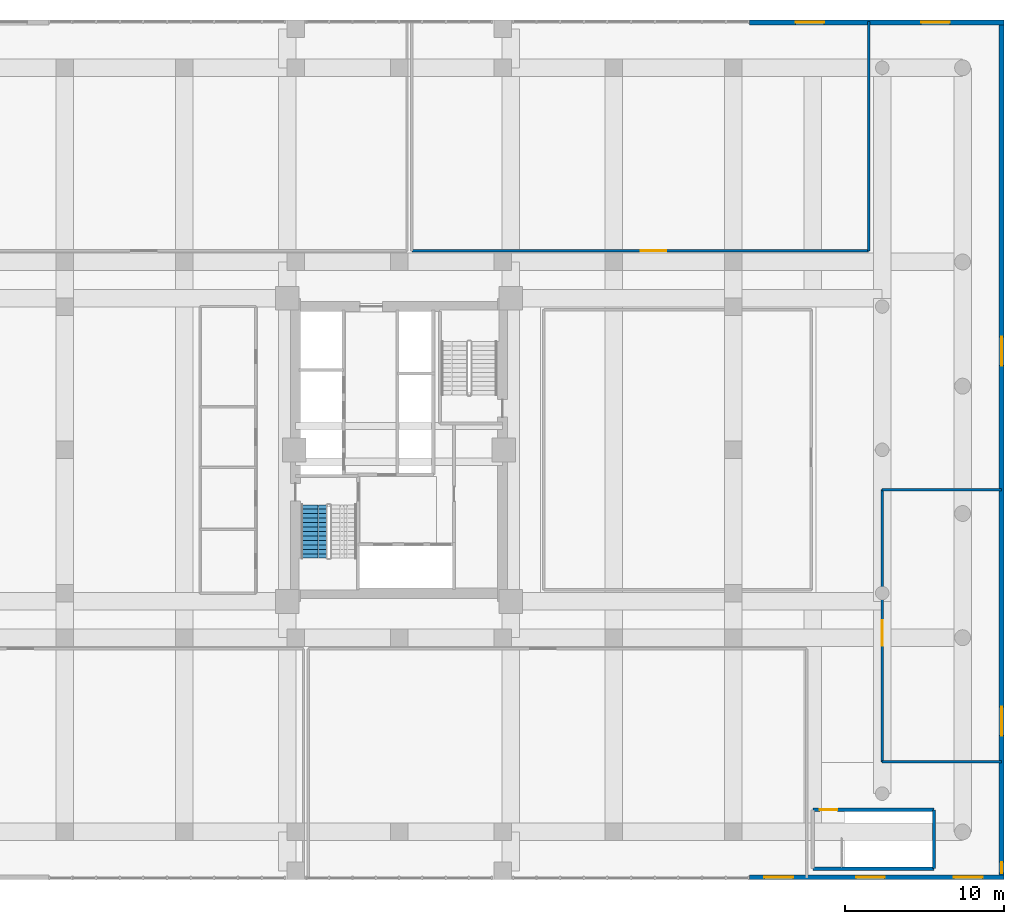
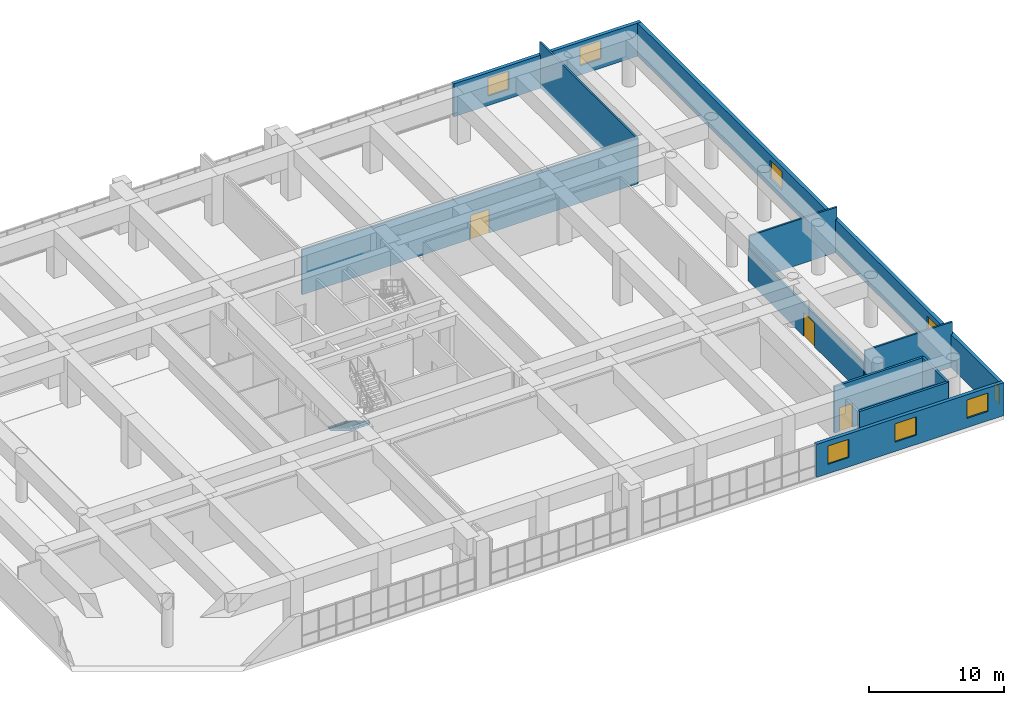
# One storey, part 21 of 28: 11 walls, 8 windows, 3 doors, 1 stair flight, 11 openings, 1 element without a shape of its own.
"""IFC4 building model written with IfcOpenShell, lengths in metres."""

import ifcopenshell
import ifcopenshell.guid

model = None  # the IFC model being written
_history = None  # IfcOwnerHistory: only IFC2X3 demands one
_inside = {}  # id of a spatial element -> (the spatial element, [elements in it])
_under = {}  # id of a project, library or spatial element -> (it, [spatial elements below it])
_declared = {}  # id of a project -> (the project, [libraries it declares])
_typed = {}  # id of a type object -> (the type object, [elements of that type])
_made_of = {}  # id of a material, layer set ... -> (it, [elements and type objects made of it])


def new_model(schema):
    """Start an empty IFC model of exactly this schema.

    Asked for "IFC4X3", IfcOpenShell would pick the latest addendum, in which some entities
    have other attributes; the version numbers below select the first issue.
    IFC2X3 requires an IfcOwnerHistory on every rooted entity: one is made here for all.
    """
    global model, _history
    if schema == "IFC4X3":
        model = ifcopenshell.file(schema_version=(4, 3, 0, 0))
    else:
        model = ifcopenshell.file(schema=schema)
    _inside.clear()
    _under.clear()
    _declared.clear()
    _typed.clear()
    _made_of.clear()
    _history = None
    if model.schema == "IFC2X3":
        org = make("IfcOrganization", Name="unknown")
        user = make(
            "IfcPersonAndOrganization",
            ThePerson=make("IfcPerson", FamilyName="unknown"),
            TheOrganization=org,
        )
        app = make(
            "IfcApplication",
            ApplicationDeveloper=org,
            Version="unknown",
            ApplicationFullName="unknown",
            ApplicationIdentifier="unknown",
        )
        _history = make(
            "IfcOwnerHistory",
            OwningUser=user,
            OwningApplication=app,
            ChangeAction="ADDED",
            CreationDate=0,
        )
    return model


def make(cls, **values):
    """One entity of the class cls with the attributes given. An attribute that is None is left unset."""
    return model.create_entity(
        cls, **{name: value for name, value in values.items() if value is not None}
    )


def rooted(cls, **values):
    """An entity with a GlobalId (a new one), such as an element, a storey or a relation."""
    return make(cls, GlobalId=ifcopenshell.guid.new(), OwnerHistory=_history, **values)


def si_unit(unit_type, name, prefix=None):
    """IfcSIUnit, for example si_unit("LENGTHUNIT", "METRE", prefix="MILLI")."""
    return make("IfcSIUnit", UnitType=unit_type, Prefix=prefix, Name=name)


def assignment(units):
    """IfcUnitAssignment: the units of a project."""
    return None if units is None else make("IfcUnitAssignment", Units=units)


def point(xyz):
    """IfcCartesianPoint."""
    return None if xyz is None else make("IfcCartesianPoint", Coordinates=xyz)


def direction(xyz):
    """IfcDirection."""
    return None if xyz is None else make("IfcDirection", DirectionRatios=xyz)


def frame(location, z_axis=None, x_axis=None):
    """IfcAxis2Placement3D, a coordinate frame: its origin and axes. An axis left out is left unset."""
    return make(
        "IfcAxis2Placement3D",
        Location=point(location),
        Axis=direction(z_axis),
        RefDirection=direction(x_axis),
    )


def frame_2d(location, x_axis=None):
    """IfcAxis2Placement2D, a coordinate frame in the plane: its origin and x axis."""
    return make(
        "IfcAxis2Placement2D", Location=point(location), RefDirection=direction(x_axis)
    )


def origin():
    """The frame at (0, 0, 0) with its axes left unset."""
    return frame((0.0, 0.0, 0.0))


def place(relative_to, where):
    """IfcLocalPlacement: puts the frame where relative to a parent placement (None: the world)."""
    return make(
        "IfcLocalPlacement", PlacementRelTo=relative_to, RelativePlacement=where
    )


def context(
    kind, dimensions, precision=None, world=None, true_north=None, identifier=None
):
    """IfcGeometricRepresentationContext, for example the 3D "Model" context."""
    return make(
        "IfcGeometricRepresentationContext",
        ContextIdentifier=identifier,
        ContextType=kind,
        CoordinateSpaceDimension=dimensions,
        Precision=precision,
        WorldCoordinateSystem=world,
        TrueNorth=true_north,
    )


def subcontext(parent, identifier, kind, view, scale=None):
    """IfcGeometricRepresentationSubContext, for example "Body" below "Model"."""
    return make(
        "IfcGeometricRepresentationSubContext",
        ContextIdentifier=identifier,
        ContextType=kind,
        ParentContext=parent,
        TargetScale=scale,
        TargetView=view,
    )


def project(units=None, contexts=None):
    """IfcProject with its units and contexts."""
    return rooted(
        "IfcProject",
        Name="project",
        RepresentationContexts=contexts,
        UnitsInContext=assignment(units),
    )


def spatial(cls, under=None, at=None, **own):
    """A site, building, storey or space (cls), placed at a placement, below another one or the project."""
    s = rooted(cls, ObjectPlacement=at, **own)
    if under is not None:
        _under.setdefault(under.id(), (under, []))[1].append(s)
    return s


def polyline(points):
    """IfcPolyline through the points."""
    return make("IfcPolyline", Points=[point(p) for p in points])


def profile(cls, at=None, kind="AREA", **sizes):
    """A parametric profile (cls). Its sizes go by their IFC names, for example OverallWidth=200.0."""
    return make(cls, ProfileType=kind, Position=at, **sizes)


def rectangle(**sizes):
    """IfcRectangleProfileDef."""
    return profile("IfcRectangleProfileDef", **sizes)


def outline(outer, holes=None, kind="AREA"):
    """IfcArbitraryClosedProfileDef: a profile drawn as a closed curve; with holes, ...WithVoids."""
    if holes is None:
        return make("IfcArbitraryClosedProfileDef", ProfileType=kind, OuterCurve=outer)
    return make(
        "IfcArbitraryProfileDefWithVoids",
        ProfileType=kind,
        OuterCurve=outer,
        InnerCurves=holes,
    )


def extrude(swept, where, along, depth):
    """IfcExtrudedAreaSolid: the profile swept, set in the frame where, extruded along a direction by depth."""
    return make(
        "IfcExtrudedAreaSolid",
        SweptArea=swept,
        Position=where,
        ExtrudedDirection=direction(along),
        Depth=depth,
    )


def shape(context_of_items, identifier, shape_type, items):
    """IfcShapeRepresentation: the items that make up one representation, for example the "Body"."""
    return make(
        "IfcShapeRepresentation",
        ContextOfItems=context_of_items,
        RepresentationIdentifier=identifier,
        RepresentationType=shape_type,
        Items=items,
    )


def source(mapping_origin, context_of_items, identifier, shape_type, items):
    """IfcRepresentationMap: a shape defined once, which mapped items show again and again."""
    return make(
        "IfcRepresentationMap",
        MappingOrigin=mapping_origin,
        MappedRepresentation=shape(context_of_items, identifier, shape_type, items),
    )


def transform(
    local_origin,
    x_axis=None,
    y_axis=None,
    z_axis=None,
    scale=None,
    scale2=None,
    scale3=None,
    uniform=True,
):
    """IfcCartesianTransformationOperator3D, or its non-uniform kind. x_axis, y_axis, z_axis: its Axis1, 2, 3."""
    if uniform:
        return make(
            "IfcCartesianTransformationOperator3D",
            Axis1=direction(x_axis),
            Axis2=direction(y_axis),
            LocalOrigin=point(local_origin),
            Scale=scale,
            Axis3=direction(z_axis),
        )
    return make(
        "IfcCartesianTransformationOperator3DnonUniform",
        Axis1=direction(x_axis),
        Axis2=direction(y_axis),
        LocalOrigin=point(local_origin),
        Scale=scale,
        Axis3=direction(z_axis),
        Scale2=scale2,
        Scale3=scale3,
    )


def mapped(mapping_source, mapping_target):
    """IfcMappedItem: shows the shape of a source again, moved by a transform."""
    return make(
        "IfcMappedItem", MappingSource=mapping_source, MappingTarget=mapping_target
    )


def material(Name=None, Category=None):
    """IfcMaterial."""
    return make("IfcMaterial", Name=Name, Category=Category)


def layer(
    of_material, thickness, ventilated=None, Name=None, Category=None, Priority=None
):
    """IfcMaterialLayer: one layer of a wall or slab, of a material (None: an air gap)."""
    return make(
        "IfcMaterialLayer",
        Material=of_material,
        LayerThickness=thickness,
        IsVentilated=ventilated,
        Name=Name,
        Category=Category,
        Priority=Priority,
    )


def layer_set(layers, Name=None):
    """IfcMaterialLayerSet."""
    return make("IfcMaterialLayerSet", MaterialLayers=layers, LayerSetName=Name)


def made_of(thing, what):
    """Note that an element or type object is made of a material, layer set ...; save() writes the relation."""
    if what is not None:
        _made_of.setdefault(what.id(), (what, []))[1].append(thing)
    return thing


def type_object(cls, material=None, **own):
    """A type object (cls), such as IfcWallType, which elements share."""
    return made_of(rooted(cls, **own), material)


def element(
    cls,
    number,
    at=None,
    inside=None,
    cuts=None,
    type_object=None,
    material=None,
    context=None,
    identifier="Body",
    shape_type=None,
    held_by="IfcProductDefinitionShape",
    body=None,
    shapes=None,
    **own,
):
    """One element of the class cls, such as IfcWall. Its Tag is "e" and its number.

    at: its placement. inside: the storey or other place that contains it. cuts: it is an
    opening in that element (IfcRelVoidsElement). A single representation is given by context,
    identifier, shape_type and body (its items); several are given by shapes. held_by: the class
    of the entity that holds the representations. save() writes the other relations.
    """
    e = rooted(cls, Tag="e%d" % number, ObjectPlacement=at, **own)
    if body is not None:
        shapes = [shape(context, identifier, shape_type, body)]
    if shapes is not None:
        e.Representation = make(held_by, Representations=shapes)
    if inside is not None:
        _inside.setdefault(inside.id(), (inside, []))[1].append(e)
    if cuts is not None:
        rooted(
            "IfcRelVoidsElement", RelatingBuildingElement=cuts, RelatedOpeningElement=e
        )
    if type_object is not None:
        _typed.setdefault(type_object.id(), (type_object, []))[1].append(e)
    return made_of(e, material)


def fill(opening, filler):
    """IfcRelFillsElement: the door or window that sits in an opening."""
    return rooted(
        "IfcRelFillsElement",
        RelatingOpeningElement=opening,
        RelatedBuildingElement=filler,
    )


def aggregate(whole, parts):
    """IfcRelAggregates: a whole, such as a stair, and the parts it consists of."""
    return rooted("IfcRelAggregates", RelatingObject=whole, RelatedObjects=parts)


def save(model, path):
    """Write the relations noted so far, then the file.

    IfcRelAggregates (storeys below a building ...), IfcRelContainedInSpatialStructure (elements
    in a storey), IfcRelDefinesByType, IfcRelAssociatesMaterial and IfcRelDeclares: one each for
    every whole, place, type object, material and project.
    """
    for whole, parts in _under.values():
        aggregate(whole, parts)
    for where, things in _inside.values():
        rooted(
            "IfcRelContainedInSpatialStructure",
            RelatedElements=things,
            RelatingStructure=where,
        )
    for kind, things in _typed.values():
        rooted("IfcRelDefinesByType", RelatedObjects=things, RelatingType=kind)
    for what, things in _made_of.values():
        rooted("IfcRelAssociatesMaterial", RelatedObjects=things, RelatingMaterial=what)
    for by, libraries in _declared.values():
        rooted("IfcRelDeclares", RelatingContext=by, RelatedDefinitions=libraries)
    model.write(path)


model = new_model("IFC4")

# Units and contexts
model_context = context("Model", 3, precision=1e-05, world=origin(), true_north=direction((0.0, 1.0)))
body_context = subcontext(model_context, "Body", "Model", "MODEL_VIEW")
ifc_project = project(units=[si_unit("LENGTHUNIT", "METRE"), si_unit("AREAUNIT", "SQUARE_METRE"), si_unit("VOLUMEUNIT", "CUBIC_METRE"), si_unit("PLANEANGLEUNIT", "RADIAN"), si_unit("MASSUNIT", "GRAM", prefix="KILO")], contexts=[model_context])

# Site, building, storey
site_placement = place(None, origin())
site = spatial("IfcSite", under=ifc_project, at=site_placement, CompositionType="ELEMENT")
building_placement = place(site_placement, origin())
building = spatial("IfcBuilding", under=site, at=building_placement, Name="Saelheon Loggia Tower", CompositionType="ELEMENT")
storey_placement = place(building_placement, frame((0.0, 0.0, 15.0)))
storey = spatial("IfcBuildingStorey", under=building, at=storey_placement, Name="L04", CompositionType="ELEMENT", Elevation=15.0)

# Wall, openings, windows
ifc_material_1 = material(Name="Architectural Precast Concrete C40/50", Category="concrete")
ifc_layer_1 = layer(ifc_material_1, 0.300048828125)
ifc_layer_set_1 = layer_set([ifc_layer_1], Name="Architectural Precast Concrete C40/50")
wall_type_1 = type_object("IfcWallType", Name="Wall_Ext_Podium_300", PredefinedType="SOLIDWALL", material=ifc_layer_set_1)
wall_1_placement = place(storey_placement, frame((60.0, 0.14990234375, 0.0), z_axis=(0.0, 0.0, 1.0), x_axis=(1.0, 0.0, 0.0)))
wall_1 = element("IfcWall", 1, at=wall_1_placement, inside=storey, type_object=wall_type_1, Name="L04 South-East Precast Wall", PredefinedType="SOLIDWALL", context=body_context, shape_type="SweptSolid", body=[
    extrude(rectangle(XDim=16.0, YDim=0.300048828125, at=frame_2d((8.0, 0.0))), origin(), (0.0, 0.0, 1.0), 2.97998046875),
])
opening_1_placement = place(wall_1_placement, frame((0.955078125, 0.0, 0.85009765625)))
opening_1 = element("IfcOpeningElement", 2, at=opening_1_placement, cuts=wall_1, Name="Opening WN-01", PredefinedType="OPENING", context=body_context, shape_type="SweptSolid", body=[
    extrude(rectangle(XDim=1.800048828125, YDim=1.64990234375, at=frame_2d((0.89990234375, 0.824951171875))), frame((0.0, 0.162109375, 0.0), z_axis=(0.0, -1.0, 0.0), x_axis=(1.0, 0.0, 0.0)), (0.0, 0.0, 1.0), 0.323974609375),
])
opening_2_placement = place(wall_1_placement, frame((6.705078125, 0.0, 0.85009765625)))
opening_2 = element("IfcOpeningElement", 3, at=opening_2_placement, cuts=wall_1, Name="Opening WN-01", PredefinedType="OPENING", context=body_context, shape_type="SweptSolid", body=[
    extrude(rectangle(XDim=1.800048828125, YDim=1.64990234375, at=frame_2d((0.89990234375, 0.824951171875))), frame((0.0, 0.162109375, 0.0), z_axis=(0.0, -1.0, 0.0), x_axis=(1.0, 0.0, 0.0)), (0.0, 0.0, 1.0), 0.323974609375),
])
opening_3_placement = place(wall_1_placement, frame((12.85009765625, 0.0, 0.85009765625)))
opening_3 = element("IfcOpeningElement", 4, at=opening_3_placement, cuts=wall_1, Name="Opening WN-01", PredefinedType="OPENING", context=body_context, shape_type="SweptSolid", body=[
    extrude(rectangle(XDim=1.800048828125, YDim=1.64990234375, at=frame_2d((0.89990234375, 0.824951171875))), frame((0.0, 0.162109375, 0.0), z_axis=(0.0, -1.0, 0.0), x_axis=(1.0, 0.0, 0.0)), (0.0, 0.0, 1.0), 0.323974609375),
])
ifc_material_2 = material(Name="Thermal-Break Aluminium and Triple Low-E Glass", Category="aluminium")
window_type_1 = type_object("IfcWindowType", Name="Win_Dwelling_1800x1650", PartitioningType="SINGLE_PANEL", PredefinedType="WINDOW", material=ifc_material_2)
shared_shape_1 = source(origin(), body_context, "Body", "SweptSolid", [
    extrude(rectangle(XDim=1.800048828125, YDim=1.64990234375, at=frame_2d((0.89990234375, 0.824951171875))), frame((0.0, 0.030029296875, 0.0), z_axis=(0.0, -1.0, 0.0), x_axis=(1.0, 0.0, 0.0)), (0.0, 0.0, 1.0), 0.06005859375),
])
window_1_placement = place(opening_1_placement, origin())
window_1 = element("IfcWindow", 5, at=window_1_placement, inside=storey, type_object=window_type_1, Name="L04 SE Dwelling Window 1", OverallHeight=1.64990234375, OverallWidth=1.800048828125, PartitioningType="SINGLE_PANEL", PredefinedType="WINDOW", context=body_context, shape_type="MappedRepresentation", body=[
    mapped(shared_shape_1, transform((0.0, 0.0, 0.0), scale=1.0)),
])
fill(opening_1, window_1)
window_2_placement = place(opening_2_placement, origin())
window_2 = element("IfcWindow", 6, at=window_2_placement, inside=storey, type_object=window_type_1, Name="L04 SE Dwelling Window 2", OverallHeight=1.64990234375, OverallWidth=1.800048828125, PartitioningType="SINGLE_PANEL", PredefinedType="WINDOW", context=body_context, shape_type="MappedRepresentation", body=[
    mapped(shared_shape_1, transform((0.0, 0.0, 0.0), scale=1.0)),
])
fill(opening_2, window_2)
window_3_placement = place(opening_3_placement, origin())
window_3 = element("IfcWindow", 7, at=window_3_placement, inside=storey, type_object=window_type_1, Name="L04 SE Dwelling Window 3", OverallHeight=1.64990234375, OverallWidth=1.800048828125, PartitioningType="SINGLE_PANEL", PredefinedType="WINDOW", context=body_context, shape_type="MappedRepresentation", body=[
    mapped(shared_shape_1, transform((0.0, 0.0, 0.0), scale=1.0)),
])
fill(opening_3, window_3)

wall_2_placement = place(storey_placement, frame((60.0, 53.85009765625, 0.0), z_axis=(0.0, 0.0, 1.0), x_axis=(1.0, 0.0, 0.0)))
wall_2 = element("IfcWall", 8, at=wall_2_placement, inside=storey, type_object=wall_type_1, Name="L04 North-East Precast Wall", PredefinedType="SOLIDWALL", context=body_context, shape_type="SweptSolid", body=[
    extrude(rectangle(XDim=16.0, YDim=0.300048828125, at=frame_2d((8.0, 0.0))), origin(), (0.0, 0.0, 1.0), 2.97998046875),
])
opening_4_placement = place(wall_2_placement, frame((2.905029296875, 0.0, 0.85009765625)))
opening_4 = element("IfcOpeningElement", 9, at=opening_4_placement, cuts=wall_2, Name="Opening WN-01", PredefinedType="OPENING", context=body_context, shape_type="SweptSolid", body=[
    extrude(rectangle(XDim=1.800048828125, YDim=1.64990234375, at=frame_2d((0.89990234375, 0.824951171875))), frame((0.0, 0.162109375, 0.0), z_axis=(0.0, -1.0, 0.0), x_axis=(1.0, 0.0, 0.0)), (0.0, 0.0, 1.0), 0.323974609375),
])
opening_5_placement = place(wall_2_placement, frame((10.794921875, 0.0, 0.85009765625)))
opening_5 = element("IfcOpeningElement", 10, at=opening_5_placement, cuts=wall_2, Name="Opening WN-01", PredefinedType="OPENING", context=body_context, shape_type="SweptSolid", body=[
    extrude(rectangle(XDim=1.800048828125, YDim=1.64990234375, at=frame_2d((0.89990234375, 0.824951171875))), frame((0.0, 0.162109375, 0.0), z_axis=(0.0, -1.0, 0.0), x_axis=(1.0, 0.0, 0.0)), (0.0, 0.0, 1.0), 0.323974609375),
])
window_4_placement = place(opening_4_placement, origin())
window_4 = element("IfcWindow", 11, at=window_4_placement, inside=storey, type_object=window_type_1, Name="L04 NE Dwelling Window 1", OverallHeight=1.64990234375, OverallWidth=1.800048828125, PartitioningType="SINGLE_PANEL", PredefinedType="WINDOW", context=body_context, shape_type="MappedRepresentation", body=[
    mapped(shared_shape_1, transform((0.0, 0.0, 0.0), scale=1.0)),
])
fill(opening_4, window_4)
window_5_placement = place(opening_5_placement, origin())
window_5 = element("IfcWindow", 12, at=window_5_placement, inside=storey, type_object=window_type_1, Name="L04 NE Dwelling Window 2", OverallHeight=1.64990234375, OverallWidth=1.800048828125, PartitioningType="SINGLE_PANEL", PredefinedType="WINDOW", context=body_context, shape_type="MappedRepresentation", body=[
    mapped(shared_shape_1, transform((0.0, 0.0, 0.0), scale=1.0)),
])
fill(opening_5, window_5)

wall_3_placement = place(storey_placement, frame((75.85009765625, 0.0, 0.0), z_axis=(0.0, 0.0, 1.0), x_axis=(0.0, 1.0, 0.0)))
wall_3 = element("IfcWall", 13, at=wall_3_placement, inside=storey, type_object=wall_type_1, Name="L04 East Precast Wall", PredefinedType="SOLIDWALL", context=body_context, shape_type="SweptSolid", body=[
    extrude(rectangle(XDim=54.0, YDim=0.300048828125, at=frame_2d((27.0, 0.0))), origin(), (0.0, 0.0, 1.0), 2.97998046875),
])
opening_6_placement = place(wall_3_placement, frame((0.405029296875, 0.0, 0.85009765625)))
opening_6 = element("IfcOpeningElement", 14, at=opening_6_placement, cuts=wall_3, Name="Opening WN-06", PredefinedType="OPENING", context=body_context, shape_type="SweptSolid", body=[
    extrude(rectangle(XDim=0.699951171875, YDim=1.5, at=frame_2d((0.35009765625, 0.75))), frame((0.0, 0.162109375, 0.0), z_axis=(0.0, -1.0, 0.0), x_axis=(1.0, 0.0, 0.0)), (0.0, 0.0, 1.0), 0.323974609375),
])
opening_7_placement = place(wall_3_placement, frame((9.050048828125, 0.0, 0.85009765625)))
opening_7 = element("IfcOpeningElement", 15, at=opening_7_placement, cuts=wall_3, Name="Opening WN-01", PredefinedType="OPENING", context=body_context, shape_type="SweptSolid", body=[
    extrude(rectangle(XDim=1.800048828125, YDim=1.64990234375, at=frame_2d((0.89990234375, 0.824951171875))), frame((0.0, 0.162109375, 0.0), z_axis=(0.0, -1.0, 0.0), x_axis=(1.0, 0.0, 0.0)), (0.0, 0.0, 1.0), 0.323974609375),
])
opening_8_placement = place(wall_3_placement, frame((32.294921875, 0.0, 0.85009765625)))
opening_8 = element("IfcOpeningElement", 16, at=opening_8_placement, cuts=wall_3, Name="Opening WN-01", PredefinedType="OPENING", context=body_context, shape_type="SweptSolid", body=[
    extrude(rectangle(XDim=1.800048828125, YDim=1.64990234375, at=frame_2d((0.89990234375, 0.824951171875))), frame((0.0, 0.162109375, 0.0), z_axis=(0.0, -1.0, 0.0), x_axis=(1.0, 0.0, 0.0)), (0.0, 0.0, 1.0), 0.323974609375),
])
window_6_placement = place(opening_7_placement, origin())
window_6 = element("IfcWindow", 17, at=window_6_placement, inside=storey, type_object=window_type_1, Name="L04 E Dwelling Window 2", OverallHeight=1.64990234375, OverallWidth=1.800048828125, PartitioningType="SINGLE_PANEL", PredefinedType="WINDOW", context=body_context, shape_type="MappedRepresentation", body=[
    mapped(shared_shape_1, transform((0.0, 0.0, 0.0), scale=1.0)),
])
fill(opening_7, window_6)
window_7_placement = place(opening_8_placement, origin())
window_7 = element("IfcWindow", 18, at=window_7_placement, inside=storey, type_object=window_type_1, Name="L04 E Dwelling Window 3", OverallHeight=1.64990234375, OverallWidth=1.800048828125, PartitioningType="SINGLE_PANEL", PredefinedType="WINDOW", context=body_context, shape_type="MappedRepresentation", body=[
    mapped(shared_shape_1, transform((0.0, 0.0, 0.0), scale=1.0)),
])
fill(opening_8, window_7)
window_type_2 = type_object("IfcWindowType", Name="Win_Slot_700x1500", PartitioningType="SINGLE_PANEL", PredefinedType="WINDOW", material=ifc_material_2)
shared_shape_2 = source(origin(), body_context, "Body", "SweptSolid", [
    extrude(rectangle(XDim=0.699951171875, YDim=1.5, at=frame_2d((0.35009765625, 0.75))), frame((0.0, 0.030029296875, 0.0), z_axis=(0.0, -1.0, 0.0), x_axis=(1.0, 0.0, 0.0)), (0.0, 0.0, 1.0), 0.06005859375),
])
window_8_placement = place(opening_6_placement, origin())
window_8 = element("IfcWindow", 19, at=window_8_placement, inside=storey, type_object=window_type_2, Name="L04 E Dwelling Window 1", OverallHeight=1.5, OverallWidth=0.699951171875, PartitioningType="SINGLE_PANEL", PredefinedType="WINDOW", context=body_context, shape_type="MappedRepresentation", body=[
    mapped(shared_shape_2, transform((0.0, 0.0, 0.0), scale=1.0)),
])
fill(opening_6, window_8)

# Wall, opening, door
ifc_material_3 = material(Name="Lightweight Autoclaved Aerated Concrete Block and Acoustic Gypsum", Category="concrete")
ifc_layer_2 = layer(ifc_material_3, 0.14990234375)
ifc_layer_set_2 = layer_set([ifc_layer_2], Name="Lightweight Autoclaved Aerated Concrete Block and Acoustic Gypsum")
wall_type_2 = type_object("IfcWallType", Name="Wall_Part_150", PredefinedType="PARTITIONING", material=ifc_layer_set_2)
wall_4_placement = place(storey_placement, frame((38.800048828125, 39.5, 0.0), z_axis=(0.0, 0.0, 1.0), x_axis=(1.0, 0.0, 0.0)))
wall_4 = element("IfcWall", 20, at=wall_4_placement, inside=storey, type_object=wall_type_2, Name="PW-L04-ADMIN4-S", PredefinedType="PARTITIONING", context=body_context, shape_type="SweptSolid", body=[
    extrude(rectangle(XDim=28.699951171875, YDim=0.14990234375, at=frame_2d((14.35009765625, 0.0))), origin(), (0.0, 0.0, 1.0), 4.080078125),
])
opening_9_placement = place(wall_4_placement, frame((14.375, 0.0, 0.0)))
opening_9 = element("IfcOpeningElement", 21, at=opening_9_placement, cuts=wall_4, Name="Opening D-DB1", PredefinedType="OPENING", context=body_context, shape_type="SweptSolid", body=[
    extrude(rectangle(XDim=1.60009765625, YDim=2.14990234375, at=frame_2d((0.800048828125, 1.074951171875))), frame((0.0, 0.0869140625, 0.0), z_axis=(0.0, -1.0, 0.0), x_axis=(1.0, 0.0, 0.0)), (0.0, 0.0, 1.0), 0.173828125),
])
ifc_material_4 = material(Name="Glazed Steel Seminar Double Door", Category="steel")
door_type_1 = type_object("IfcDoorType", Name="Door_Double_1600", OperationType="DOUBLE_SWING_LEFT", PredefinedType="DOOR", material=ifc_material_4)
shared_shape_3 = source(origin(), body_context, "Body", "SweptSolid", [
    extrude(rectangle(XDim=1.60009765625, YDim=2.14990234375, at=frame_2d((0.800048828125, 1.074951171875))), frame((0.0, 0.02490234375, 0.0), z_axis=(0.0, -1.0, 0.0), x_axis=(1.0, 0.0, 0.0)), (0.0, 0.0, 1.0), 0.050048828125),
])
door_1_placement = place(opening_9_placement, origin())
door_1 = element("IfcDoor", 22, at=door_1_placement, inside=storey, type_object=door_type_1, Name="L04 Health Centre Open Plan Office Door", OperationType="DOUBLE_SWING_LEFT", OverallHeight=2.14990234375, OverallWidth=1.60009765625, PredefinedType="DOOR", context=body_context, shape_type="MappedRepresentation", body=[
    mapped(shared_shape_3, transform((0.0, 0.0, 0.0), scale=1.0)),
])
fill(opening_9, door_1)

# Walls
wall_5_placement = place(storey_placement, frame((67.5, 39.5, 0.0), z_axis=(0.0, 0.0, 1.0), x_axis=(0.0, 1.0, 0.0)))
element("IfcWall", 23, at=wall_5_placement, inside=storey, type_object=wall_type_2, Name="PW-L04-ADMIN4-E", PredefinedType="PARTITIONING", context=body_context, shape_type="SweptSolid", body=[
    extrude(rectangle(XDim=14.39990234375, YDim=0.14990234375, at=frame_2d((7.199951171875, 0.0))), origin(), (0.0, 0.0, 1.0), 4.080078125),
])
for number, where, z_axis, x_axis, name in (
    (24, (68.35009765625, 7.39990234375, 0.0), (0.0, 0.0, 1.0), (1.0, 0.0, 0.0), "PW-L04-WELL4-S"),
    (25, (68.35009765625, 24.5, 0.0), (0.0, 0.0, 1.0), (1.0, 0.0, 0.0), "PW-L04-WELL4-N"),
):
    element("IfcWall", number, at=place(storey_placement, frame(where, z_axis=z_axis, x_axis=x_axis)), inside=storey, type_object=wall_type_2, Name=name, PredefinedType="PARTITIONING", context=body_context, shape_type="SweptSolid", body=[
        extrude(rectangle(XDim=7.5, YDim=0.14990234375, at=frame_2d((3.75, 0.0))), origin(), (0.0, 0.0, 1.0), 4.080078125),
    ])

# Wall, opening, door
wall_6_placement = place(storey_placement, frame((68.35009765625, 7.39990234375, 0.0), z_axis=(0.0, 0.0, 1.0), x_axis=(0.0, 1.0, 0.0)))
wall_6 = element("IfcWall", 26, at=wall_6_placement, inside=storey, type_object=wall_type_2, Name="PW-L04-WELL4-W", PredefinedType="PARTITIONING", context=body_context, shape_type="SweptSolid", body=[
    extrude(rectangle(XDim=17.10009765625, YDim=0.14990234375, at=frame_2d((8.550048828125, 0.0))), origin(), (0.0, 0.0, 1.0), 2.93994140625),
])
opening_10_placement = place(wall_6_placement, frame((7.28759765625, 0.0, 0.0)))
opening_10 = element("IfcOpeningElement", 27, at=opening_10_placement, cuts=wall_6, Name="Opening D-DB1", PredefinedType="OPENING", context=body_context, shape_type="SweptSolid", body=[
    extrude(rectangle(XDim=1.60009765625, YDim=2.14990234375, at=frame_2d((0.800048828125, 1.074951171875))), frame((0.0, 0.0869140625, 0.0), z_axis=(0.0, -1.0, 0.0), x_axis=(1.0, 0.0, 0.0)), (0.0, 0.0, 1.0), 0.173828125),
])
door_2_placement = place(opening_10_placement, origin())
door_2 = element("IfcDoor", 28, at=door_2_placement, inside=storey, type_object=door_type_1, Name="L04 Preventive Health Screening Clinic Door", OperationType="DOUBLE_SWING_LEFT", OverallHeight=2.14990234375, OverallWidth=1.60009765625, PredefinedType="DOOR", context=body_context, shape_type="MappedRepresentation", body=[
    mapped(shared_shape_3, transform((0.0, 0.0, 0.0), scale=1.0)),
])
fill(opening_10, door_2)

# Wall
ifc_material_5 = material(Name="Concrete C45/55", Category="concrete")
ifc_layer_3 = layer(ifc_material_5, 0.199951171875)
ifc_layer_set_3 = layer_set([ifc_layer_3], Name="Concrete C45/55")
wall_type_3 = type_object("IfcWallType", Name="Wall_StairShaft_RC200", PredefinedType="SOLIDWALL", material=ifc_layer_set_3)
wall_7_placement = place(storey_placement, frame((63.989990234375, 0.68994140625, 0.0), z_axis=(0.0, 0.0, 1.0), x_axis=(1.0, 0.0, 0.0)))
element("IfcWall", 29, at=wall_7_placement, inside=storey, type_object=wall_type_3, Name="L04 ST4 Shaft South Wall", PredefinedType="SOLIDWALL", context=body_context, shape_type="SweptSolid", body=[
    extrude(rectangle(XDim=7.6201171875, YDim=0.199951171875, at=frame_2d((3.81005859375, 0.0))), origin(), (0.0, 0.0, 1.0), 4.18994140625),
])

# Wall, opening, door
wall_8_placement = place(storey_placement, frame((63.989990234375, 4.389892578125, 0.0), z_axis=(0.0, 0.0, 1.0), x_axis=(1.0, 0.0, 0.0)))
wall_8 = element("IfcWall", 30, at=wall_8_placement, inside=storey, type_object=wall_type_3, Name="L04 ST4 Shaft North Wall", PredefinedType="SOLIDWALL", context=body_context, shape_type="SweptSolid", body=[
    extrude(rectangle(XDim=7.6201171875, YDim=0.199951171875, at=frame_2d((3.81005859375, 0.0))), origin(), (0.0, 0.0, 1.0), 4.18994140625),
])
opening_11_placement = place(wall_8_placement, frame((0.449951171875, 0.0, 0.0)))
opening_11 = element("IfcOpeningElement", 31, at=opening_11_placement, cuts=wall_8, Name="Opening D-FD2", PredefinedType="OPENING", context=body_context, shape_type="SweptSolid", body=[
    extrude(rectangle(XDim=1.10009765625, YDim=2.14990234375, at=frame_2d((0.550048828125, 1.074951171875))), frame((0.0, 0.112060546875, 0.0), z_axis=(0.0, -1.0, 0.0), x_axis=(1.0, 0.0, 0.0)), (0.0, 0.0, 1.0), 0.223876953125),
])
ifc_material_6 = material(Name="Galvanised Steel Fire Door", Category="steel")
door_type_2 = type_object("IfcDoorType", Name="Door_Fire_FD60_1100", OperationType="NOTDEFINED", PredefinedType="DOOR", material=ifc_material_6)
shared_shape_4 = source(origin(), body_context, "Body", "SweptSolid", [
    extrude(rectangle(XDim=1.10009765625, YDim=2.14990234375, at=frame_2d((0.550048828125, 1.074951171875))), frame((0.0, 0.02490234375, 0.0), z_axis=(0.0, -1.0, 0.0), x_axis=(1.0, 0.0, 0.0)), (0.0, 0.0, 1.0), 0.050048828125),
])
door_3_placement = place(opening_11_placement, origin())
door_3 = element("IfcDoor", 32, at=door_3_placement, inside=storey, type_object=door_type_2, Name="L04 Escape Stair ST4 Door", OperationType="SINGLE_SWING_RIGHT", OverallHeight=2.14990234375, OverallWidth=1.10009765625, PredefinedType="DOOR", context=body_context, shape_type="MappedRepresentation", body=[
    mapped(shared_shape_4, transform((0.0, 0.0, 0.0), scale=1.0)),
])
fill(opening_11, door_3)

# Wall
wall_9_placement = place(storey_placement, frame((71.610107421875, 0.68994140625, 0.0), z_axis=(0.0, 0.0, 1.0), x_axis=(0.0, 1.0, 0.0)))
element("IfcWall", 33, at=wall_9_placement, inside=storey, type_object=wall_type_3, Name="L04 ST4 Shaft East Wall", PredefinedType="SOLIDWALL", context=body_context, shape_type="SweptSolid", body=[
    extrude(rectangle(XDim=3.699951171875, YDim=0.199951171875, at=frame_2d((1.85009765625, 0.0))), origin(), (0.0, 0.0, 1.0), 4.18994140625),
])

# Stair, stair flight
ifc_material_7 = material(Name="Concrete C40/50", Category="concrete")
stair_type = type_object("IfcStairType", Name="Stair_Escape_Core", PredefinedType="HALF_TURN_STAIR", material=ifc_material_7)
stair_placement = place(storey_placement, origin())
stair = element("IfcStair", 34, at=stair_placement, inside=storey, type_object=stair_type, Name="L04 Special Escape Stair ST1", PredefinedType="HALF_TURN_STAIR")
stair_flight_type = type_object("IfcStairFlightType", Name="StairFlight_Tower_1660", PredefinedType="STRAIGHT", material=ifc_material_7)
stair_flight_placement = place(storey_placement, frame((32.679931640625, 23.550048828125, 0.0), z_axis=(0.0, 0.0, 1.0), x_axis=(0.0, -1.0, 0.0)))
stair_flight = element("IfcStairFlight", 35, at=stair_flight_placement, type_object=stair_flight_type, Name="ST1 flight 1", NumberOfRisers=13, NumberOfTreads=12, PredefinedType="STRAIGHT", RiserHeight=0.169230769, TreadLength=0.28, context=body_context, shape_type="SweptSolid", body=[
    extrude(outline(polyline([(0.0, 0.0), (0.0, 0.169189453125), (0.280029296875, 0.169189453125), (0.280029296875, 0.33837890625), (0.56005859375, 0.33837890625), (0.56005859375, 0.5078125), (0.840087890625, 0.5078125), (0.840087890625, 0.677001953125), (1.1201171875, 0.677001953125), (1.1201171875, 0.84619140625), (1.39990234375, 0.84619140625), (1.39990234375, 1.015380859375), (1.679931640625, 1.015380859375), (1.679931640625, 1.1845703125), (1.9599609375, 1.1845703125), (1.9599609375, 1.353759765625), (2.239990234375, 1.353759765625), (2.239990234375, 1.523193359375), (2.52001953125, 1.523193359375), (2.52001953125, 1.6923828125), (2.800048828125, 1.6923828125), (2.800048828125, 1.861572265625), (3.080078125, 1.861572265625), (3.080078125, 2.03076171875), (3.360107421875, 2.03076171875), (3.360107421875, 2.199951171875), (3.360107421875, 1.820556640625), (0.347900390625, 0.0), (0.0, 0.0)])), frame((0.0, -0.2490234375, 0.0), z_axis=(0.0, -1.0, 0.0), x_axis=(1.0, 0.0, 0.0)), (0.0, 0.0, 1.0), 0.5810546875),
    extrude(outline(polyline([(0.0, 0.0), (0.0, 0.169189453125), (0.280029296875, 0.169189453125), (0.280029296875, 0.33837890625), (0.56005859375, 0.33837890625), (0.56005859375, 0.5078125), (0.840087890625, 0.5078125), (0.840087890625, 0.677001953125), (1.1201171875, 0.677001953125), (1.1201171875, 0.84619140625), (1.39990234375, 0.84619140625), (1.39990234375, 1.015380859375), (1.679931640625, 1.015380859375), (1.679931640625, 1.1845703125), (1.9599609375, 1.1845703125), (1.9599609375, 1.353759765625), (2.239990234375, 1.353759765625), (2.239990234375, 1.523193359375), (2.52001953125, 1.523193359375), (2.52001953125, 1.6923828125), (2.800048828125, 1.6923828125), (2.800048828125, 1.861572265625), (3.080078125, 1.861572265625), (3.080078125, 2.03076171875), (3.360107421875, 2.03076171875), (3.360107421875, 2.199951171875), (3.360107421875, 1.820556640625), (0.347900390625, 0.0), (0.0, 0.0)])), frame((0.0, -0.194091796875, 0.0), z_axis=(0.0, -1.0, 0.0), x_axis=(1.0, 0.0, 0.0)), (0.0, 0.0, 1.0), 0.0498046875),
    extrude(outline(polyline([(0.0, 0.0), (0.0, 0.169189453125), (0.280029296875, 0.169189453125), (0.280029296875, 0.33837890625), (0.56005859375, 0.33837890625), (0.56005859375, 0.5078125), (0.840087890625, 0.5078125), (0.840087890625, 0.677001953125), (1.1201171875, 0.677001953125), (1.1201171875, 0.84619140625), (1.39990234375, 0.84619140625), (1.39990234375, 1.015380859375), (1.679931640625, 1.015380859375), (1.679931640625, 1.1845703125), (1.9599609375, 1.1845703125), (1.9599609375, 1.353759765625), (2.239990234375, 1.353759765625), (2.239990234375, 1.523193359375), (2.52001953125, 1.523193359375), (2.52001953125, 1.6923828125), (2.800048828125, 1.6923828125), (2.800048828125, 1.861572265625), (3.080078125, 1.861572265625), (3.080078125, 2.03076171875), (3.360107421875, 2.03076171875), (3.360107421875, 2.199951171875), (3.360107421875, 1.820556640625), (0.347900390625, 0.0), (0.0, 0.0)])), frame((0.0, -0.139404296875, 0.0), z_axis=(0.0, -1.0, 0.0), x_axis=(1.0, 0.0, 0.0)), (0.0, 0.0, 1.0), 0.0498046875),
    extrude(outline(polyline([(0.0, 0.0), (0.0, 0.169189453125), (0.280029296875, 0.169189453125), (0.280029296875, 0.33837890625), (0.56005859375, 0.33837890625), (0.56005859375, 0.5078125), (0.840087890625, 0.5078125), (0.840087890625, 0.677001953125), (1.1201171875, 0.677001953125), (1.1201171875, 0.84619140625), (1.39990234375, 0.84619140625), (1.39990234375, 1.015380859375), (1.679931640625, 1.015380859375), (1.679931640625, 1.1845703125), (1.9599609375, 1.1845703125), (1.9599609375, 1.353759765625), (2.239990234375, 1.353759765625), (2.239990234375, 1.523193359375), (2.52001953125, 1.523193359375), (2.52001953125, 1.6923828125), (2.800048828125, 1.6923828125), (2.800048828125, 1.861572265625), (3.080078125, 1.861572265625), (3.080078125, 2.03076171875), (3.360107421875, 2.03076171875), (3.360107421875, 2.199951171875), (3.360107421875, 1.820556640625), (0.347900390625, 0.0), (0.0, 0.0)])), frame((0.0, -0.084716796875, 0.0), z_axis=(0.0, -1.0, 0.0), x_axis=(1.0, 0.0, 0.0)), (0.0, 0.0, 1.0), 0.0498046875),
    extrude(outline(polyline([(0.0, 0.0), (0.0, 0.169189453125), (0.280029296875, 0.169189453125), (0.280029296875, 0.33837890625), (0.56005859375, 0.33837890625), (0.56005859375, 0.5078125), (0.840087890625, 0.5078125), (0.840087890625, 0.677001953125), (1.1201171875, 0.677001953125), (1.1201171875, 0.84619140625), (1.39990234375, 0.84619140625), (1.39990234375, 1.015380859375), (1.679931640625, 1.015380859375), (1.679931640625, 1.1845703125), (1.9599609375, 1.1845703125), (1.9599609375, 1.353759765625), (2.239990234375, 1.353759765625), (2.239990234375, 1.523193359375), (2.52001953125, 1.523193359375), (2.52001953125, 1.6923828125), (2.800048828125, 1.6923828125), (2.800048828125, 1.861572265625), (3.080078125, 1.861572265625), (3.080078125, 2.03076171875), (3.360107421875, 2.03076171875), (3.360107421875, 2.199951171875), (3.360107421875, 1.820556640625), (0.347900390625, 0.0), (0.0, 0.0)])), frame((0.0, -0.02978515625, 0.0), z_axis=(0.0, -1.0, 0.0), x_axis=(1.0, 0.0, 0.0)), (0.0, 0.0, 1.0), 0.0498046875),
    extrude(outline(polyline([(0.0, 0.0), (0.0, 0.169189453125), (0.280029296875, 0.169189453125), (0.280029296875, 0.33837890625), (0.56005859375, 0.33837890625), (0.56005859375, 0.5078125), (0.840087890625, 0.5078125), (0.840087890625, 0.677001953125), (1.1201171875, 0.677001953125), (1.1201171875, 0.84619140625), (1.39990234375, 0.84619140625), (1.39990234375, 1.015380859375), (1.679931640625, 1.015380859375), (1.679931640625, 1.1845703125), (1.9599609375, 1.1845703125), (1.9599609375, 1.353759765625), (2.239990234375, 1.353759765625), (2.239990234375, 1.523193359375), (2.52001953125, 1.523193359375), (2.52001953125, 1.6923828125), (2.800048828125, 1.6923828125), (2.800048828125, 1.861572265625), (3.080078125, 1.861572265625), (3.080078125, 2.03076171875), (3.360107421875, 2.03076171875), (3.360107421875, 2.199951171875), (3.360107421875, 1.820556640625), (0.347900390625, 0.0), (0.0, 0.0)])), frame((0.0, 0.02490234375, 0.0), z_axis=(0.0, -1.0, 0.0), x_axis=(1.0, 0.0, 0.0)), (0.0, 0.0, 1.0), 0.0498046875),
    extrude(outline(polyline([(0.0, 0.0), (0.0, 0.169189453125), (0.280029296875, 0.169189453125), (0.280029296875, 0.33837890625), (0.56005859375, 0.33837890625), (0.56005859375, 0.5078125), (0.840087890625, 0.5078125), (0.840087890625, 0.677001953125), (1.1201171875, 0.677001953125), (1.1201171875, 0.84619140625), (1.39990234375, 0.84619140625), (1.39990234375, 1.015380859375), (1.679931640625, 1.015380859375), (1.679931640625, 1.1845703125), (1.9599609375, 1.1845703125), (1.9599609375, 1.353759765625), (2.239990234375, 1.353759765625), (2.239990234375, 1.523193359375), (2.52001953125, 1.523193359375), (2.52001953125, 1.6923828125), (2.800048828125, 1.6923828125), (2.800048828125, 1.861572265625), (3.080078125, 1.861572265625), (3.080078125, 2.03076171875), (3.360107421875, 2.03076171875), (3.360107421875, 2.199951171875), (3.360107421875, 1.820556640625), (0.347900390625, 0.0), (0.0, 0.0)])), frame((0.0, 0.07958984375, 0.0), z_axis=(0.0, -1.0, 0.0), x_axis=(1.0, 0.0, 0.0)), (0.0, 0.0, 1.0), 0.0498046875),
    extrude(outline(polyline([(0.0, 0.0), (0.0, 0.169189453125), (0.280029296875, 0.169189453125), (0.280029296875, 0.33837890625), (0.56005859375, 0.33837890625), (0.56005859375, 0.5078125), (0.840087890625, 0.5078125), (0.840087890625, 0.677001953125), (1.1201171875, 0.677001953125), (1.1201171875, 0.84619140625), (1.39990234375, 0.84619140625), (1.39990234375, 1.015380859375), (1.679931640625, 1.015380859375), (1.679931640625, 1.1845703125), (1.9599609375, 1.1845703125), (1.9599609375, 1.353759765625), (2.239990234375, 1.353759765625), (2.239990234375, 1.523193359375), (2.52001953125, 1.523193359375), (2.52001953125, 1.6923828125), (2.800048828125, 1.6923828125), (2.800048828125, 1.861572265625), (3.080078125, 1.861572265625), (3.080078125, 2.03076171875), (3.360107421875, 2.03076171875), (3.360107421875, 2.199951171875), (3.360107421875, 1.820556640625), (0.347900390625, 0.0), (0.0, 0.0)])), frame((0.0, 0.134521484375, 0.0), z_axis=(0.0, -1.0, 0.0), x_axis=(1.0, 0.0, 0.0)), (0.0, 0.0, 1.0), 0.0498046875),
    extrude(outline(polyline([(0.0, 0.0), (0.0, 0.169189453125), (0.280029296875, 0.169189453125), (0.280029296875, 0.33837890625), (0.56005859375, 0.33837890625), (0.56005859375, 0.5078125), (0.840087890625, 0.5078125), (0.840087890625, 0.677001953125), (1.1201171875, 0.677001953125), (1.1201171875, 0.84619140625), (1.39990234375, 0.84619140625), (1.39990234375, 1.015380859375), (1.679931640625, 1.015380859375), (1.679931640625, 1.1845703125), (1.9599609375, 1.1845703125), (1.9599609375, 1.353759765625), (2.239990234375, 1.353759765625), (2.239990234375, 1.523193359375), (2.52001953125, 1.523193359375), (2.52001953125, 1.6923828125), (2.800048828125, 1.6923828125), (2.800048828125, 1.861572265625), (3.080078125, 1.861572265625), (3.080078125, 2.03076171875), (3.360107421875, 2.03076171875), (3.360107421875, 2.199951171875), (3.360107421875, 1.820556640625), (0.347900390625, 0.0), (0.0, 0.0)])), frame((0.0, 0.189208984375, 0.0), z_axis=(0.0, -1.0, 0.0), x_axis=(1.0, 0.0, 0.0)), (0.0, 0.0, 1.0), 0.0498046875),
    extrude(outline(polyline([(0.0, 0.0), (0.0, 0.169189453125), (0.280029296875, 0.169189453125), (0.280029296875, 0.33837890625), (0.56005859375, 0.33837890625), (0.56005859375, 0.5078125), (0.840087890625, 0.5078125), (0.840087890625, 0.677001953125), (1.1201171875, 0.677001953125), (1.1201171875, 0.84619140625), (1.39990234375, 0.84619140625), (1.39990234375, 1.015380859375), (1.679931640625, 1.015380859375), (1.679931640625, 1.1845703125), (1.9599609375, 1.1845703125), (1.9599609375, 1.353759765625), (2.239990234375, 1.353759765625), (2.239990234375, 1.523193359375), (2.52001953125, 1.523193359375), (2.52001953125, 1.6923828125), (2.800048828125, 1.6923828125), (2.800048828125, 1.861572265625), (3.080078125, 1.861572265625), (3.080078125, 2.03076171875), (3.360107421875, 2.03076171875), (3.360107421875, 2.199951171875), (3.360107421875, 1.820556640625), (0.347900390625, 0.0), (0.0, 0.0)])), frame((0.0, 0.243896484375, 0.0), z_axis=(0.0, -1.0, 0.0), x_axis=(1.0, 0.0, 0.0)), (0.0, 0.0, 1.0), 0.0498046875),
    extrude(outline(polyline([(0.0, 0.0), (0.0, 0.169189453125), (0.280029296875, 0.169189453125), (0.280029296875, 0.33837890625), (0.56005859375, 0.33837890625), (0.56005859375, 0.5078125), (0.840087890625, 0.5078125), (0.840087890625, 0.677001953125), (1.1201171875, 0.677001953125), (1.1201171875, 0.84619140625), (1.39990234375, 0.84619140625), (1.39990234375, 1.015380859375), (1.679931640625, 1.015380859375), (1.679931640625, 1.1845703125), (1.9599609375, 1.1845703125), (1.9599609375, 1.353759765625), (2.239990234375, 1.353759765625), (2.239990234375, 1.523193359375), (2.52001953125, 1.523193359375), (2.52001953125, 1.6923828125), (2.800048828125, 1.6923828125), (2.800048828125, 1.861572265625), (3.080078125, 1.861572265625), (3.080078125, 2.03076171875), (3.360107421875, 2.03076171875), (3.360107421875, 2.199951171875), (3.360107421875, 1.820556640625), (0.347900390625, 0.0), (0.0, 0.0)])), frame((0.0, 0.830078125, 0.0), z_axis=(0.0, -1.0, 0.0), x_axis=(1.0, 0.0, 0.0)), (0.0, 0.0, 1.0), 0.5810546875),
])
aggregate(stair, [stair_flight])

save(model, "model.ifc")
